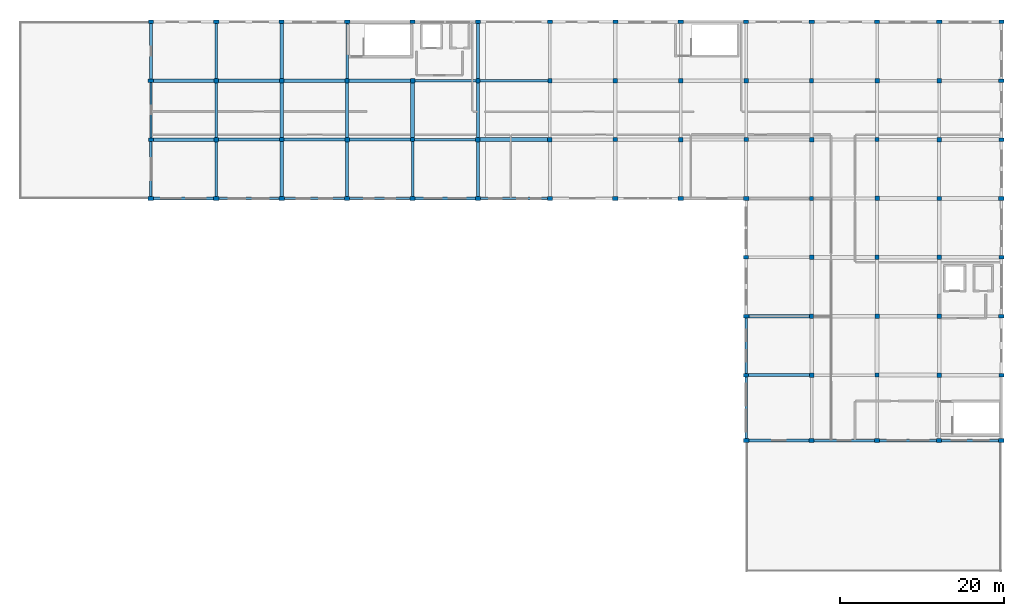
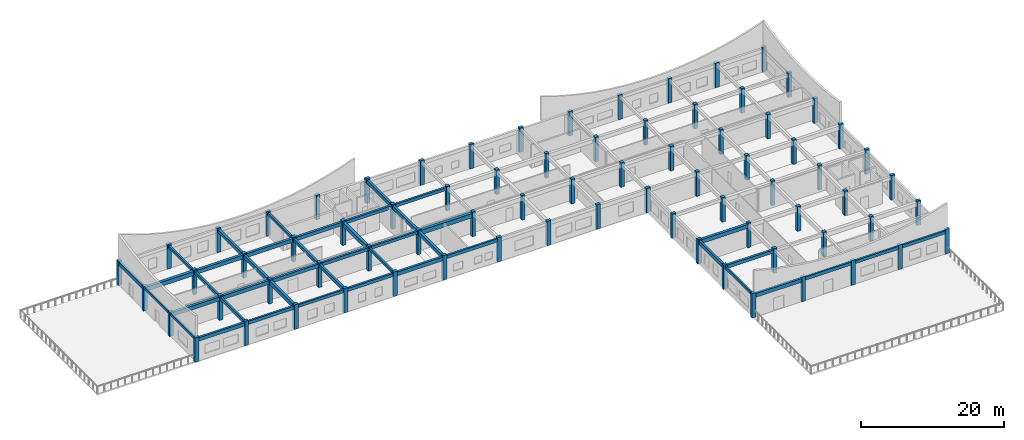
# One storey, part 1 of 10: 76 columns, 43 beams.
"""IFC4 building model written with IfcOpenShell, lengths in metres."""

from ifc_helpers import new_model, si_unit, direction, frame, origin, origin_2d, place, context, subcontext, project, spatial, rectangle, extrude, material, material_profile, profile_set, type_object, element, save


model = new_model("IFC4")

# Units and contexts
model_context = context("Model", 3, precision=1e-05, world=origin(), true_north=direction((0.0, 1.0)))
body_context = subcontext(model_context, "Body", "Model", "MODEL_VIEW")
ifc_project = project(units=[si_unit("LENGTHUNIT", "METRE"), si_unit("AREAUNIT", "SQUARE_METRE"), si_unit("VOLUMEUNIT", "CUBIC_METRE"), si_unit("PLANEANGLEUNIT", "RADIAN"), si_unit("MASSUNIT", "GRAM", prefix="KILO")], contexts=[model_context])

# Site, building, storey
site_placement = place(None, origin())
site = spatial("IfcSite", under=ifc_project, at=site_placement, CompositionType="ELEMENT")
building_placement = place(site_placement, origin())
building = spatial("IfcBuilding", under=site, at=building_placement, Name="Kharva Crest Polytechnic", CompositionType="ELEMENT")
storey_placement = place(building_placement, frame((0.0, 0.0, 25.800048828125)))
storey = spatial("IfcBuildingStorey", under=building, at=storey_placement, Name="L06", CompositionType="ELEMENT", Elevation=25.800048828125)

# Columns
ifc_material_1 = material(Name="Concrete C40/50", Category="concrete")
ifc_material_profile_1 = material_profile(ifc_material_1, rectangle(XDim=0.6201171875, YDim=0.449951171875, at=origin_2d()), Name="RECT 620 X 450")
ifc_profile_set_1 = profile_set([ifc_material_profile_1], Name="Concrete C40/50")
column_type_1 = type_object("IfcColumnType", Name="COL-EXT-620X450", PredefinedType="COLUMN", material=ifc_profile_set_1)
for number, where, z_axis, x_axis, name in (
    (1, (80.0, 107.60009765625, 0.0), (0.0, 0.0, 1.0), (1.0, 0.0, 0.0), "L06 Column 11/Q"),
    (2, (80.0, 122.0, 0.0), (0.0, 0.0, 1.0), (1.0, 0.0, 0.0), "L06 Column 11/S"),
    (3, (88.0, 100.39990234375, 0.0), (0.0, 0.0, 1.0), (1.0, 0.0, 0.0), "L06 Column 12/P"),
    (4, (96.0, 122.0, 0.0), (0.0, 0.0, 1.0), (1.0, 0.0, 0.0), "L06 Column 13/S"),
    (5, (104.0, 100.39990234375, 0.0), (0.0, 0.0, 1.0), (1.0, 0.0, 0.0), "L06 Column 14/P"),
    (6, (112.0, 122.0, 0.0), (0.0, 0.0, 1.0), (1.0, 0.0, 0.0), "L06 Column 15/S"),
    (7, (120.0, 100.39990234375, 0.0), (0.0, 0.0, 1.0), (1.0, 0.0, 0.0), "L06 Column 16/P"),
    (8, (128.800048828125, 100.39990234375, 0.0), (0.0, 0.0, 1.0), (1.0, 0.0, 0.0), "L06 Column 17/P"),
    (9, (136.800048828125, 122.0, 0.0), (0.0, 0.0, 1.0), (1.0, 0.0, 0.0), "L06 Column 18/S"),
    (10, (144.800048828125, 100.39990234375, 0.0), (0.0, 0.0, 1.0), (1.0, 0.0, 0.0), "L06 Column 19/P"),
    (11, (152.800048828125, 78.800048828125, 0.0), (0.0, 0.0, 1.0), (1.0, 0.0, 0.0), "L06 Column 20/L"),
    (12, (152.800048828125, 93.199951171875, 0.0), (0.0, 0.0, 1.0), (1.0, 0.0, 0.0), "L06 Column 20/N"),
    (13, (152.800048828125, 122.0, 0.0), (0.0, 0.0, 1.0), (1.0, 0.0, 0.0), "L06 Column 20/S"),
    (14, (160.800048828125, 70.800048828125, 0.0), (0.0, 0.0, 1.0), (1.0, 0.0, 0.0), "L06 Column 21/K"),
    (15, (168.800048828125, 122.0, 0.0), (0.0, 0.0, 1.0), (1.0, 0.0, 0.0), "L06 Column 22/S"),
    (16, (176.39990234375, 70.800048828125, 0.0), (0.0, 0.0, 1.0), (1.0, 0.0, 0.0), "L06 Column 23/K"),
    (17, (184.0, 78.800048828125, 0.0), (0.0, 0.0, 1.0), (1.0, 0.0, 0.0), "L06 Column 24/L"),
    (18, (184.0, 93.199951171875, 0.0), (0.0, 0.0, 1.0), (1.0, 0.0, 0.0), "L06 Column 24/N"),
    (19, (184.0, 107.60009765625, 0.0), (0.0, 0.0, 1.0), (1.0, 0.0, 0.0), "L06 Column 24/Q"),
    (20, (184.0, 122.0, 0.0), (0.0, 0.0, 1.0), (1.0, 0.0, 0.0), "L06 Column 24/S"),
):
    element("IfcColumn", number, at=place(storey_placement, frame(where, z_axis=z_axis, x_axis=x_axis)), inside=storey, type_object=column_type_1, Name=name, PredefinedType="COLUMN", context=body_context, shape_type="SweptSolid", body=[
        extrude(rectangle(XDim=0.6201171875, YDim=0.449951171875, at=origin_2d()), origin(), (0.0, 0.0, 1.0), 4.199951171875),
    ])
ifc_material_profile_2 = material_profile(ifc_material_1, rectangle(XDim=0.64990234375, YDim=0.449951171875, at=origin_2d()), Name="RECT 650 X 450")
ifc_profile_set_2 = profile_set([ifc_material_profile_2], Name="Concrete C40/50")
column_type_2 = type_object("IfcColumnType", Name="COL-EXT-650X450", PredefinedType="COLUMN", material=ifc_profile_set_2)
for number, where, z_axis, x_axis, name in (
    (21, (80.0, 100.39990234375, 0.0), (0.0, 0.0, 1.0), (1.0, 0.0, 0.0), "L06 Column 11/P"),
    (22, (80.0, 114.800048828125, 0.0), (0.0, 0.0, 1.0), (1.0, 0.0, 0.0), "L06 Column 11/R"),
    (23, (88.0, 122.0, 0.0), (0.0, 0.0, 1.0), (1.0, 0.0, 0.0), "L06 Column 12/S"),
    (24, (96.0, 100.39990234375, 0.0), (0.0, 0.0, 1.0), (1.0, 0.0, 0.0), "L06 Column 13/P"),
    (25, (104.0, 122.0, 0.0), (0.0, 0.0, 1.0), (1.0, 0.0, 0.0), "L06 Column 14/S"),
    (26, (112.0, 100.39990234375, 0.0), (0.0, 0.0, 1.0), (1.0, 0.0, 0.0), "L06 Column 15/P"),
    (27, (120.0, 122.0, 0.0), (0.0, 0.0, 1.0), (1.0, 0.0, 0.0), "L06 Column 16/S"),
    (28, (128.800048828125, 122.0, 0.0), (0.0, 0.0, 1.0), (1.0, 0.0, 0.0), "L06 Column 17/S"),
    (29, (136.800048828125, 100.39990234375, 0.0), (0.0, 0.0, 1.0), (1.0, 0.0, 0.0), "L06 Column 18/P"),
    (30, (144.800048828125, 122.0, 0.0), (0.0, 0.0, 1.0), (1.0, 0.0, 0.0), "L06 Column 19/S"),
    (31, (152.800048828125, 70.800048828125, 0.0), (0.0, 0.0, 1.0), (1.0, 0.0, 0.0), "L06 Column 20/K"),
    (32, (152.800048828125, 86.0, 0.0), (0.0, 0.0, 1.0), (1.0, 0.0, 0.0), "L06 Column 20/M"),
    (33, (152.800048828125, 100.39990234375, 0.0), (0.0, 0.0, 1.0), (1.0, 0.0, 0.0), "L06 Column 20/P"),
    (34, (160.800048828125, 122.0, 0.0), (0.0, 0.0, 1.0), (1.0, 0.0, 0.0), "L06 Column 21/S"),
    (35, (168.800048828125, 70.800048828125, 0.0), (0.0, 0.0, 1.0), (1.0, 0.0, 0.0), "L06 Column 22/K"),
    (36, (176.39990234375, 122.0, 0.0), (0.0, 0.0, 1.0), (1.0, 0.0, 0.0), "L06 Column 23/S"),
    (37, (184.0, 70.800048828125, 0.0), (0.0, 0.0, 1.0), (1.0, 0.0, 0.0), "L06 Column 24/K"),
    (38, (184.0, 86.0, 0.0), (0.0, 0.0, 1.0), (1.0, 0.0, 0.0), "L06 Column 24/M"),
    (39, (184.0, 100.39990234375, 0.0), (0.0, 0.0, 1.0), (1.0, 0.0, 0.0), "L06 Column 24/P"),
    (40, (184.0, 114.800048828125, 0.0), (0.0, 0.0, 1.0), (1.0, 0.0, 0.0), "L06 Column 24/R"),
):
    element("IfcColumn", number, at=place(storey_placement, frame(where, z_axis=z_axis, x_axis=x_axis)), inside=storey, type_object=column_type_2, Name=name, PredefinedType="COLUMN", context=body_context, shape_type="SweptSolid", body=[
        extrude(rectangle(XDim=0.64990234375, YDim=0.449951171875, at=origin_2d()), origin(), (0.0, 0.0, 1.0), 4.199951171875),
    ])
ifc_material_profile_3 = material_profile(ifc_material_1, rectangle(XDim=0.52001953125, YDim=0.52001953125, at=origin_2d()), Name="RECT 520 X 520")
ifc_profile_set_3 = profile_set([ifc_material_profile_3], Name="Concrete C40/50")
column_type_3 = type_object("IfcColumnType", Name="COL-INT-520X520", PredefinedType="COLUMN", material=ifc_profile_set_3)
for number, where, z_axis, x_axis, name in (
    (41, (88.0, 114.800048828125, 0.0), (0.0, 0.0, 1.0), (1.0, 0.0, 0.0), "L06 Column 12/R"),
    (42, (96.0, 107.60009765625, 0.0), (0.0, 0.0, 1.0), (1.0, 0.0, 0.0), "L06 Column 13/Q"),
    (43, (104.0, 114.800048828125, 0.0), (0.0, 0.0, 1.0), (1.0, 0.0, 0.0), "L06 Column 14/R"),
    (44, (112.0, 107.60009765625, 0.0), (0.0, 0.0, 1.0), (1.0, 0.0, 0.0), "L06 Column 15/Q"),
    (45, (120.0, 114.800048828125, 0.0), (0.0, 0.0, 1.0), (1.0, 0.0, 0.0), "L06 Column 16/R"),
    (46, (128.800048828125, 114.800048828125, 0.0), (0.0, 0.0, 1.0), (1.0, 0.0, 0.0), "L06 Column 17/R"),
    (47, (136.800048828125, 107.60009765625, 0.0), (0.0, 0.0, 1.0), (1.0, 0.0, 0.0), "L06 Column 18/Q"),
    (48, (144.800048828125, 114.800048828125, 0.0), (0.0, 0.0, 1.0), (1.0, 0.0, 0.0), "L06 Column 19/R"),
    (49, (152.800048828125, 107.60009765625, 0.0), (0.0, 0.0, 1.0), (1.0, 0.0, 0.0), "L06 Column 20/Q"),
    (50, (160.800048828125, 86.0, 0.0), (0.0, 0.0, 1.0), (1.0, 0.0, 0.0), "L06 Column 21/M"),
    (51, (160.800048828125, 100.39990234375, 0.0), (0.0, 0.0, 1.0), (1.0, 0.0, 0.0), "L06 Column 21/P"),
    (52, (160.800048828125, 114.800048828125, 0.0), (0.0, 0.0, 1.0), (1.0, 0.0, 0.0), "L06 Column 21/R"),
    (53, (168.800048828125, 78.800048828125, 0.0), (0.0, 0.0, 1.0), (1.0, 0.0, 0.0), "L06 Column 22/L"),
    (54, (168.800048828125, 93.199951171875, 0.0), (0.0, 0.0, 1.0), (1.0, 0.0, 0.0), "L06 Column 22/N"),
    (55, (168.800048828125, 107.60009765625, 0.0), (0.0, 0.0, 1.0), (1.0, 0.0, 0.0), "L06 Column 22/Q"),
    (56, (176.39990234375, 86.0, 0.0), (0.0, 0.0, 1.0), (1.0, 0.0, 0.0), "L06 Column 23/M"),
    (57, (176.39990234375, 100.39990234375, 0.0), (0.0, 0.0, 1.0), (1.0, 0.0, 0.0), "L06 Column 23/P"),
    (58, (176.39990234375, 114.800048828125, 0.0), (0.0, 0.0, 1.0), (1.0, 0.0, 0.0), "L06 Column 23/R"),
):
    element("IfcColumn", number, at=place(storey_placement, frame(where, z_axis=z_axis, x_axis=x_axis)), inside=storey, type_object=column_type_3, Name=name, PredefinedType="COLUMN", context=body_context, shape_type="SweptSolid", body=[
        extrude(rectangle(XDim=0.52001953125, YDim=0.52001953125, at=origin_2d()), origin(), (0.0, 0.0, 1.0), 4.199951171875),
    ])
ifc_material_profile_4 = material_profile(ifc_material_1, rectangle(XDim=0.550048828125, YDim=0.550048828125, at=origin_2d()), Name="RECT 550 X 550")
ifc_profile_set_4 = profile_set([ifc_material_profile_4], Name="Concrete C40/50")
column_type_4 = type_object("IfcColumnType", Name="COL-INT-550X550", PredefinedType="COLUMN", material=ifc_profile_set_4)
for number, where, z_axis, x_axis, name in (
    (59, (88.0, 107.60009765625, 0.0), (0.0, 0.0, 1.0), (1.0, 0.0, 0.0), "L06 Column 12/Q"),
    (60, (96.0, 114.800048828125, 0.0), (0.0, 0.0, 1.0), (1.0, 0.0, 0.0), "L06 Column 13/R"),
    (61, (104.0, 107.60009765625, 0.0), (0.0, 0.0, 1.0), (1.0, 0.0, 0.0), "L06 Column 14/Q"),
    (62, (112.0, 114.800048828125, 0.0), (0.0, 0.0, 1.0), (1.0, 0.0, 0.0), "L06 Column 15/R"),
    (63, (120.0, 107.60009765625, 0.0), (0.0, 0.0, 1.0), (1.0, 0.0, 0.0), "L06 Column 16/Q"),
    (64, (128.800048828125, 107.60009765625, 0.0), (0.0, 0.0, 1.0), (1.0, 0.0, 0.0), "L06 Column 17/Q"),
    (65, (136.800048828125, 114.800048828125, 0.0), (0.0, 0.0, 1.0), (1.0, 0.0, 0.0), "L06 Column 18/R"),
    (66, (144.800048828125, 107.60009765625, 0.0), (0.0, 0.0, 1.0), (1.0, 0.0, 0.0), "L06 Column 19/Q"),
    (67, (152.800048828125, 114.800048828125, 0.0), (0.0, 0.0, 1.0), (1.0, 0.0, 0.0), "L06 Column 20/R"),
    (68, (160.800048828125, 78.800048828125, 0.0), (0.0, 0.0, 1.0), (1.0, 0.0, 0.0), "L06 Column 21/L"),
    (69, (160.800048828125, 93.199951171875, 0.0), (0.0, 0.0, 1.0), (1.0, 0.0, 0.0), "L06 Column 21/N"),
    (70, (160.800048828125, 107.60009765625, 0.0), (0.0, 0.0, 1.0), (1.0, 0.0, 0.0), "L06 Column 21/Q"),
    (71, (168.800048828125, 86.0, 0.0), (0.0, 0.0, 1.0), (1.0, 0.0, 0.0), "L06 Column 22/M"),
    (72, (168.800048828125, 100.39990234375, 0.0), (0.0, 0.0, 1.0), (1.0, 0.0, 0.0), "L06 Column 22/P"),
    (73, (168.800048828125, 114.800048828125, 0.0), (0.0, 0.0, 1.0), (1.0, 0.0, 0.0), "L06 Column 22/R"),
    (74, (176.39990234375, 78.800048828125, 0.0), (0.0, 0.0, 1.0), (1.0, 0.0, 0.0), "L06 Column 23/L"),
    (75, (176.39990234375, 93.199951171875, 0.0), (0.0, 0.0, 1.0), (1.0, 0.0, 0.0), "L06 Column 23/N"),
    (76, (176.39990234375, 107.60009765625, 0.0), (0.0, 0.0, 1.0), (1.0, 0.0, 0.0), "L06 Column 23/Q"),
):
    element("IfcColumn", number, at=place(storey_placement, frame(where, z_axis=z_axis, x_axis=x_axis)), inside=storey, type_object=column_type_4, Name=name, PredefinedType="COLUMN", context=body_context, shape_type="SweptSolid", body=[
        extrude(rectangle(XDim=0.550048828125, YDim=0.550048828125, at=origin_2d()), origin(), (0.0, 0.0, 1.0), 4.199951171875),
    ])

# Beams
ifc_material_2 = material(Name="Concrete C35/45", Category="concrete")
ifc_material_profile_5 = material_profile(ifc_material_2, rectangle(XDim=0.300048828125, YDim=0.449951171875, at=origin_2d()), Name="RECT 300 X 450")
ifc_profile_set_5 = profile_set([ifc_material_profile_5], Name="Concrete C35/45")
beam_type_1 = type_object("IfcBeamType", Name="BM-RC-300X450", PredefinedType="BEAM", material=ifc_profile_set_5)
beam_1_placement = place(storey_placement, frame((88.0, 115.06005859375, 3.75), z_axis=(0.0, 1.0, 0.0), x_axis=(-1.0, 0.0, 0.0)))
element("IfcBeam", 77, at=beam_1_placement, inside=storey, type_object=beam_type_1, Name="L06 Girder 12/R-S", PredefinedType="BEAM", context=body_context, shape_type="SweptSolid", body=[
    extrude(rectangle(XDim=0.300048828125, YDim=0.449951171875, at=origin_2d()), origin(), (0.0, 0.0, 1.0), 6.71484375),
])
beam_2_placement = place(storey_placement, frame((112.0, 100.625, 3.75), z_axis=(0.0, 1.0, 0.0), x_axis=(-1.0, 0.0, 0.0)))
element("IfcBeam", 78, at=beam_2_placement, inside=storey, type_object=beam_type_1, Name="L06 Girder 15/P-Q", PredefinedType="BEAM", context=body_context, shape_type="SweptSolid", body=[
    extrude(rectangle(XDim=0.300048828125, YDim=0.449951171875, at=origin_2d()), origin(), (0.0, 0.0, 1.0), 6.715087890625),
])
ifc_material_profile_6 = material_profile(ifc_material_2, rectangle(XDim=0.300048828125, YDim=0.47998046875, at=origin_2d()), Name="RECT 300 X 480")
ifc_profile_set_6 = profile_set([ifc_material_profile_6], Name="Concrete C35/45")
beam_type_2 = type_object("IfcBeamType", Name="BM-RC-300X480", PredefinedType="BEAM", material=ifc_profile_set_6)
beam_3_placement = place(storey_placement, frame((88.0, 107.875, 3.73486328125), z_axis=(0.0, 1.0, 0.0), x_axis=(-1.0, 0.0, 0.0)))
element("IfcBeam", 79, at=beam_3_placement, inside=storey, type_object=beam_type_2, Name="L06 Girder 12/Q-R", PredefinedType="BEAM", context=body_context, shape_type="SweptSolid", body=[
    extrude(rectangle(XDim=0.300048828125, YDim=0.47998046875, at=origin_2d()), origin(), (0.0, 0.0, 1.0), 6.6650390625),
])
beam_4_placement = place(storey_placement, frame((104.0, 115.06005859375, 3.73486328125), z_axis=(0.0, 1.0, 0.0), x_axis=(-1.0, 0.0, 0.0)))
element("IfcBeam", 80, at=beam_4_placement, inside=storey, type_object=beam_type_2, Name="L06 Girder 14/R-S", PredefinedType="BEAM", context=body_context, shape_type="SweptSolid", body=[
    extrude(rectangle(XDim=0.300048828125, YDim=0.47998046875, at=origin_2d()), origin(), (0.0, 0.0, 1.0), 6.71484375),
])
ifc_material_profile_7 = material_profile(ifc_material_2, rectangle(XDim=0.320068359375, YDim=0.5, at=origin_2d()), Name="RECT 320 X 500")
ifc_profile_set_7 = profile_set([ifc_material_profile_7], Name="Concrete C35/45")
beam_type_3 = type_object("IfcBeamType", Name="BM-RC-320X500", PredefinedType="BEAM", material=ifc_profile_set_7)
beam_5_placement = place(storey_placement, frame((112.260009765625, 107.60009765625, 3.724853515625), z_axis=(1.0, 0.0, 0.0), x_axis=(0.0, 1.0, 0.0)))
element("IfcBeam", 81, at=beam_5_placement, inside=storey, type_object=beam_type_3, Name="L06 Beam Q/15-16", PredefinedType="BEAM", context=body_context, shape_type="SweptSolid", body=[
    extrude(rectangle(XDim=0.320068359375, YDim=0.5, at=origin_2d()), origin(), (0.0, 0.0, 1.0), 7.465087890625),
])
beam_6_placement = place(storey_placement, frame((120.260009765625, 114.800048828125, 3.724853515625), z_axis=(1.0, 0.0, 0.0), x_axis=(0.0, 1.0, 0.0)))
element("IfcBeam", 82, at=beam_6_placement, inside=storey, type_object=beam_type_3, Name="L06 Beam R/16-17", PredefinedType="BEAM", context=body_context, shape_type="SweptSolid", body=[
    extrude(rectangle(XDim=0.320068359375, YDim=0.5, at=origin_2d()), origin(), (0.0, 0.0, 1.0), 8.280029296875),
])
ifc_material_profile_8 = material_profile(ifc_material_2, rectangle(XDim=0.340087890625, YDim=0.52001953125, at=origin_2d()), Name="RECT 340 X 520")
ifc_profile_set_8 = profile_set([ifc_material_profile_8], Name="Concrete C35/45")
beam_type_4 = type_object("IfcBeamType", Name="BM-RC-340X520", PredefinedType="BEAM", material=ifc_profile_set_8)
beam_7_placement = place(storey_placement, frame((88.0, 100.625, 3.71484375), z_axis=(0.0, 1.0, 0.0), x_axis=(-1.0, 0.0, 0.0)))
element("IfcBeam", 83, at=beam_7_placement, inside=storey, type_object=beam_type_4, Name="L06 Girder 12/P-Q", PredefinedType="BEAM", context=body_context, shape_type="SweptSolid", body=[
    extrude(rectangle(XDim=0.340087890625, YDim=0.52001953125, at=origin_2d()), origin(), (0.0, 0.0, 1.0), 6.699951171875),
])
beam_8_placement = place(storey_placement, frame((104.0, 107.875, 3.71484375), z_axis=(0.0, 1.0, 0.0), x_axis=(-1.0, 0.0, 0.0)))
element("IfcBeam", 84, at=beam_8_placement, inside=storey, type_object=beam_type_4, Name="L06 Girder 14/Q-R", PredefinedType="BEAM", context=body_context, shape_type="SweptSolid", body=[
    extrude(rectangle(XDim=0.340087890625, YDim=0.52001953125, at=origin_2d()), origin(), (0.0, 0.0, 1.0), 6.6650390625),
])
ifc_material_profile_9 = material_profile(ifc_material_2, rectangle(XDim=0.35009765625, YDim=0.550048828125, at=origin_2d()), Name="RECT 350 X 550")
ifc_profile_set_9 = profile_set([ifc_material_profile_9], Name="Concrete C35/45")
beam_type_5 = type_object("IfcBeamType", Name="BM-RC-350X550", PredefinedType="BEAM", material=ifc_profile_set_9)
beam_9_placement = place(storey_placement, frame((153.110107421875, 78.800048828125, 3.699951171875), z_axis=(1.0, 0.0, 0.0), x_axis=(0.0, 1.0, 0.0)))
element("IfcBeam", 85, at=beam_9_placement, inside=storey, type_object=beam_type_5, Name="L06 Beam L/20-21", PredefinedType="BEAM", context=body_context, shape_type="SweptSolid", body=[
    extrude(rectangle(XDim=0.35009765625, YDim=0.550048828125, at=origin_2d()), origin(), (0.0, 0.0, 1.0), 7.414794921875),
])
for number, where, z_axis, x_axis, name in (
    (86, (104.27490234375, 107.60009765625, 3.699951171875), (1.0, 0.0, 0.0), (0.0, 1.0, 0.0), "L06 Beam Q/14-15"),
    (87, (112.27490234375, 114.800048828125, 3.699951171875), (1.0, 0.0, 0.0), (0.0, 1.0, 0.0), "L06 Beam R/15-16"),
):
    element("IfcBeam", number, at=place(storey_placement, frame(where, z_axis=z_axis, x_axis=x_axis)), inside=storey, type_object=beam_type_5, Name=name, PredefinedType="BEAM", context=body_context, shape_type="SweptSolid", body=[
        extrude(rectangle(XDim=0.35009765625, YDim=0.550048828125, at=origin_2d()), origin(), (0.0, 0.0, 1.0), 7.465087890625),
    ])
ifc_material_profile_10 = material_profile(ifc_material_2, rectangle(XDim=0.360107421875, YDim=0.580078125, at=origin_2d()), Name="RECT 360 X 580")
ifc_profile_set_10 = profile_set([ifc_material_profile_10], Name="Concrete C35/45")
beam_type_6 = type_object("IfcBeamType", Name="BM-RC-360X580", PredefinedType="BEAM", material=ifc_profile_set_10)
beam_10_placement = place(storey_placement, frame((104.0, 100.625, 3.68505859375), z_axis=(0.0, 1.0, 0.0), x_axis=(-1.0, 0.0, 0.0)))
element("IfcBeam", 88, at=beam_10_placement, inside=storey, type_object=beam_type_6, Name="L06 Girder 14/P-Q", PredefinedType="BEAM", context=body_context, shape_type="SweptSolid", body=[
    extrude(rectangle(XDim=0.360107421875, YDim=0.580078125, at=origin_2d()), origin(), (0.0, 0.0, 1.0), 6.699951171875),
])
beam_11_placement = place(storey_placement, frame((120.0, 115.06005859375, 3.68505859375), z_axis=(0.0, 1.0, 0.0), x_axis=(-1.0, 0.0, 0.0)))
element("IfcBeam", 89, at=beam_11_placement, inside=storey, type_object=beam_type_6, Name="L06 Girder 16/R-S", PredefinedType="BEAM", context=body_context, shape_type="SweptSolid", body=[
    extrude(rectangle(XDim=0.360107421875, YDim=0.580078125, at=origin_2d()), origin(), (0.0, 0.0, 1.0), 6.71484375),
])
ifc_material_profile_11 = material_profile(ifc_material_2, rectangle(XDim=0.3798828125, YDim=0.60009765625, at=origin_2d()), Name="RECT 380 X 600")
ifc_profile_set_11 = profile_set([ifc_material_profile_11], Name="Concrete C35/45")
beam_type_7 = type_object("IfcBeamType", Name="BM-RC-380X600", PredefinedType="BEAM", material=ifc_profile_set_11)
for number, where, z_axis, x_axis, name in (
    (90, (96.260009765625, 107.60009765625, 3.675048828125), (1.0, 0.0, 0.0), (0.0, 1.0, 0.0), "L06 Beam Q/13-14"),
    (91, (104.260009765625, 114.800048828125, 3.675048828125), (1.0, 0.0, 0.0), (0.0, 1.0, 0.0), "L06 Beam R/14-15"),
):
    element("IfcBeam", number, at=place(storey_placement, frame(where, z_axis=z_axis, x_axis=x_axis)), inside=storey, type_object=beam_type_7, Name=name, PredefinedType="BEAM", context=body_context, shape_type="SweptSolid", body=[
        extrude(rectangle(XDim=0.3798828125, YDim=0.60009765625, at=origin_2d()), origin(), (0.0, 0.0, 1.0), 7.465087890625),
    ])
ifc_material_profile_12 = material_profile(ifc_material_2, rectangle(XDim=0.39990234375, YDim=0.580078125, at=origin_2d()), Name="RECT 400 X 580")
ifc_profile_set_12 = profile_set([ifc_material_profile_12], Name="Concrete C35/45")
beam_type_8 = type_object("IfcBeamType", Name="BM-RC-400X580", PredefinedType="BEAM", material=ifc_profile_set_12)
beam_12_placement = place(storey_placement, frame((96.0, 115.074951171875, 3.68505859375), z_axis=(0.0, 1.0, 0.0), x_axis=(-1.0, 0.0, 0.0)))
element("IfcBeam", 92, at=beam_12_placement, inside=storey, type_object=beam_type_8, Name="L06 Girder 13/R-S", PredefinedType="BEAM", context=body_context, shape_type="SweptSolid", body=[
    extrude(rectangle(XDim=0.39990234375, YDim=0.580078125, at=origin_2d()), origin(), (0.0, 0.0, 1.0), 6.699951171875),
])
beam_13_placement = place(storey_placement, frame((120.0, 107.875, 3.68505859375), z_axis=(0.0, 1.0, 0.0), x_axis=(-1.0, 0.0, 0.0)))
element("IfcBeam", 93, at=beam_13_placement, inside=storey, type_object=beam_type_8, Name="L06 Girder 16/Q-R", PredefinedType="BEAM", context=body_context, shape_type="SweptSolid", body=[
    extrude(rectangle(XDim=0.39990234375, YDim=0.580078125, at=origin_2d()), origin(), (0.0, 0.0, 1.0), 6.6650390625),
])
ifc_material_profile_13 = material_profile(ifc_material_2, rectangle(XDim=0.39990234375, YDim=0.6201171875, at=origin_2d()), Name="RECT 400 X 620")
ifc_profile_set_13 = profile_set([ifc_material_profile_13], Name="Concrete C35/45")
beam_type_9 = type_object("IfcBeamType", Name="BM-RC-400X620", PredefinedType="BEAM", material=ifc_profile_set_13)
beam_14_placement = place(storey_placement, frame((96.0, 107.860107421875, 3.6650390625), z_axis=(0.0, 1.0, 0.0), x_axis=(-1.0, 0.0, 0.0)))
element("IfcBeam", 94, at=beam_14_placement, inside=storey, type_object=beam_type_9, Name="L06 Girder 13/Q-R", PredefinedType="BEAM", context=body_context, shape_type="SweptSolid", body=[
    extrude(rectangle(XDim=0.39990234375, YDim=0.6201171875, at=origin_2d()), origin(), (0.0, 0.0, 1.0), 6.664794921875),
])
beam_15_placement = place(storey_placement, frame((120.0, 100.625, 3.6650390625), z_axis=(0.0, 1.0, 0.0), x_axis=(-1.0, 0.0, 0.0)))
element("IfcBeam", 95, at=beam_15_placement, inside=storey, type_object=beam_type_9, Name="L06 Girder 16/P-Q", PredefinedType="BEAM", context=body_context, shape_type="SweptSolid", body=[
    extrude(rectangle(XDim=0.39990234375, YDim=0.6201171875, at=origin_2d()), origin(), (0.0, 0.0, 1.0), 6.699951171875),
])
ifc_material_profile_14 = material_profile(ifc_material_2, rectangle(XDim=0.39990234375, YDim=0.64990234375, at=origin_2d()), Name="RECT 400 X 650")
ifc_profile_set_14 = profile_set([ifc_material_profile_14], Name="Concrete C35/45")
beam_type_10 = type_object("IfcBeamType", Name="BM-RC-400X650", PredefinedType="BEAM", material=ifc_profile_set_14)
for number, where, z_axis, x_axis, name in (
    (96, (88.27490234375, 107.60009765625, 3.64990234375), (1.0, 0.0, 0.0), (0.0, 1.0, 0.0), "L06 Beam Q/12-13"),
    (97, (96.27490234375, 114.800048828125, 3.64990234375), (1.0, 0.0, 0.0), (0.0, 1.0, 0.0), "L06 Beam R/13-14"),
):
    element("IfcBeam", number, at=place(storey_placement, frame(where, z_axis=z_axis, x_axis=x_axis)), inside=storey, type_object=beam_type_10, Name=name, PredefinedType="BEAM", context=body_context, shape_type="SweptSolid", body=[
        extrude(rectangle(XDim=0.39990234375, YDim=0.64990234375, at=origin_2d()), origin(), (0.0, 0.0, 1.0), 7.465087890625),
    ])
ifc_material_profile_15 = material_profile(ifc_material_2, rectangle(XDim=0.419921875, YDim=0.659912109375, at=origin_2d()), Name="RECT 420 X 660")
ifc_profile_set_15 = profile_set([ifc_material_profile_15], Name="Concrete C35/45")
beam_type_11 = type_object("IfcBeamType", Name="BM-RC-420X660", PredefinedType="BEAM", material=ifc_profile_set_15)
for number, where, z_axis, x_axis, name in (
    (98, (153.125, 86.0, 3.64501953125), (1.0, 0.0, 0.0), (0.0, 1.0, 0.0), "L06 Beam M/20-21"),
    (99, (80.31005859375, 107.60009765625, 3.64501953125), (1.0, 0.0, 0.0), (0.0, 1.0, 0.0), "L06 Beam Q/11-12"),
):
    element("IfcBeam", number, at=place(storey_placement, frame(where, z_axis=z_axis, x_axis=x_axis)), inside=storey, type_object=beam_type_11, Name=name, PredefinedType="BEAM", context=body_context, shape_type="SweptSolid", body=[
        extrude(rectangle(XDim=0.419921875, YDim=0.659912109375, at=origin_2d()), origin(), (0.0, 0.0, 1.0), 7.4150390625),
    ])
beam_16_placement = place(storey_placement, frame((88.260009765625, 114.800048828125, 3.64501953125), z_axis=(1.0, 0.0, 0.0), x_axis=(0.0, 1.0, 0.0)))
element("IfcBeam", 100, at=beam_16_placement, inside=storey, type_object=beam_type_11, Name="L06 Beam R/12-13", PredefinedType="BEAM", context=body_context, shape_type="SweptSolid", body=[
    extrude(rectangle(XDim=0.419921875, YDim=0.659912109375, at=origin_2d()), origin(), (0.0, 0.0, 1.0), 7.465087890625),
])
ifc_material_profile_16 = material_profile(ifc_material_2, rectangle(XDim=0.449951171875, YDim=0.679931640625, at=origin_2d()), Name="RECT 450 X 680")
ifc_profile_set_16 = profile_set([ifc_material_profile_16], Name="Concrete C35/45")
beam_type_12 = type_object("IfcBeamType", Name="BM-RC-450X680", PredefinedType="BEAM", material=ifc_profile_set_16)
beam_17_placement = place(storey_placement, frame((96.0, 100.625, 3.635009765625), z_axis=(0.0, 1.0, 0.0), x_axis=(-1.0, 0.0, 0.0)))
element("IfcBeam", 101, at=beam_17_placement, inside=storey, type_object=beam_type_12, Name="L06 Girder 13/P-Q", PredefinedType="BEAM", context=body_context, shape_type="SweptSolid", body=[
    extrude(rectangle(XDim=0.449951171875, YDim=0.679931640625, at=origin_2d()), origin(), (0.0, 0.0, 1.0), 6.715087890625),
])
beam_18_placement = place(storey_placement, frame((112.0, 107.860107421875, 3.635009765625), z_axis=(0.0, 1.0, 0.0), x_axis=(-1.0, 0.0, 0.0)))
element("IfcBeam", 102, at=beam_18_placement, inside=storey, type_object=beam_type_12, Name="L06 Girder 15/Q-R", PredefinedType="BEAM", context=body_context, shape_type="SweptSolid", body=[
    extrude(rectangle(XDim=0.449951171875, YDim=0.679931640625, at=origin_2d()), origin(), (0.0, 0.0, 1.0), 6.664794921875),
])
ifc_material_profile_17 = material_profile(ifc_material_2, rectangle(XDim=0.449951171875, YDim=0.719970703125, at=origin_2d()), Name="RECT 450 X 720")
ifc_profile_set_17 = profile_set([ifc_material_profile_17], Name="Concrete C35/45")
beam_type_13 = type_object("IfcBeamType", Name="BM-RC-450X720", PredefinedType="BEAM", material=ifc_profile_set_17)
beam_19_placement = place(storey_placement, frame((80.324951171875, 114.800048828125, 3.614990234375), z_axis=(1.0, 0.0, 0.0), x_axis=(0.0, 1.0, 0.0)))
element("IfcBeam", 103, at=beam_19_placement, inside=storey, type_object=beam_type_13, Name="L06 Beam R/11-12", PredefinedType="BEAM", context=body_context, shape_type="SweptSolid", body=[
    extrude(rectangle(XDim=0.449951171875, YDim=0.719970703125, at=origin_2d()), origin(), (0.0, 0.0, 1.0), 7.4150390625),
])
ifc_material_profile_18 = material_profile(ifc_material_2, rectangle(XDim=0.47998046875, YDim=0.75, at=origin_2d()), Name="RECT 480 X 750")
ifc_profile_set_18 = profile_set([ifc_material_profile_18], Name="Concrete C35/45")
beam_type_14 = type_object("IfcBeamType", Name="BM-RC-480X750", PredefinedType="BEAM", material=ifc_profile_set_18)
beam_20_placement = place(storey_placement, frame((120.27490234375, 107.60009765625, 3.599853515625), z_axis=(1.0, 0.0, 0.0), x_axis=(0.0, 1.0, 0.0)))
element("IfcBeam", 104, at=beam_20_placement, inside=storey, type_object=beam_type_14, Name="L06 Beam Q/16-17", PredefinedType="BEAM", context=body_context, shape_type="SweptSolid", body=[
    extrude(rectangle(XDim=0.47998046875, YDim=0.75, at=origin_2d()), origin(), (0.0, 0.0, 1.0), 8.25),
])
ifc_material_profile_19 = material_profile(ifc_material_2, rectangle(XDim=0.260009765625, YDim=0.43994140625, at=origin_2d()), Name="RECT 260 X 440")
ifc_profile_set_19 = profile_set([ifc_material_profile_19], Name="Concrete C35/45")
beam_type_15 = type_object("IfcBeamType", Name="SP-RC-260X440", PredefinedType="SPANDREL", material=ifc_profile_set_19)
beam_21_placement = place(storey_placement, frame((80.0, 107.824951171875, 3.7548828125), z_axis=(0.0, 1.0, 0.0), x_axis=(-1.0, 0.0, 0.0)))
element("IfcBeam", 105, at=beam_21_placement, inside=storey, type_object=beam_type_15, Name="L06 Girder 11/Q-R", PredefinedType="SPANDREL", context=body_context, shape_type="SweptSolid", body=[
    extrude(rectangle(XDim=0.260009765625, YDim=0.43994140625, at=origin_2d()), origin(), (0.0, 0.0, 1.0), 6.75),
])
beam_22_placement = place(storey_placement, frame((152.800048828125, 71.02490234375, 3.7548828125), z_axis=(0.0, 1.0, 0.0), x_axis=(-1.0, 0.0, 0.0)))
element("IfcBeam", 106, at=beam_22_placement, inside=storey, type_object=beam_type_15, Name="L06 Girder 20/K-L", PredefinedType="SPANDREL", context=body_context, shape_type="SweptSolid", body=[
    extrude(rectangle(XDim=0.260009765625, YDim=0.43994140625, at=origin_2d()), origin(), (0.0, 0.0, 1.0), 7.550048828125),
])
ifc_material_profile_20 = material_profile(ifc_material_2, rectangle(XDim=0.280029296875, YDim=0.4599609375, at=origin_2d()), Name="RECT 280 X 460")
ifc_profile_set_20 = profile_set([ifc_material_profile_20], Name="Concrete C35/45")
beam_type_16 = type_object("IfcBeamType", Name="SP-RC-280X460", PredefinedType="SPANDREL", material=ifc_profile_set_20)
beam_23_placement = place(storey_placement, frame((80.0, 100.625, 3.744873046875), z_axis=(0.0, 1.0, 0.0), x_axis=(-1.0, 0.0, 0.0)))
element("IfcBeam", 107, at=beam_23_placement, inside=storey, type_object=beam_type_16, Name="L06 Girder 11/P-Q", PredefinedType="SPANDREL", context=body_context, shape_type="SweptSolid", body=[
    extrude(rectangle(XDim=0.280029296875, YDim=0.4599609375, at=origin_2d()), origin(), (0.0, 0.0, 1.0), 6.75),
])
ifc_material_profile_21 = material_profile(ifc_material_2, rectangle(XDim=0.280029296875, YDim=0.5, at=origin_2d()), Name="RECT 280 X 500")
ifc_profile_set_21 = profile_set([ifc_material_profile_21], Name="Concrete C35/45")
beam_type_17 = type_object("IfcBeamType", Name="SP-RC-280X500", PredefinedType="SPANDREL", material=ifc_profile_set_21)
beam_24_placement = place(storey_placement, frame((96.324951171875, 100.39990234375, 3.724853515625), z_axis=(1.0, 0.0, 0.0), x_axis=(0.0, 1.0, 0.0)))
element("IfcBeam", 108, at=beam_24_placement, inside=storey, type_object=beam_type_17, Name="L06 Beam P/13-14", PredefinedType="SPANDREL", context=body_context, shape_type="SweptSolid", body=[
    extrude(rectangle(XDim=0.280029296875, YDim=0.5, at=origin_2d()), origin(), (0.0, 0.0, 1.0), 7.364990234375),
])
ifc_material_profile_22 = material_profile(ifc_material_2, rectangle(XDim=0.300048828125, YDim=0.550048828125, at=origin_2d()), Name="RECT 300 X 550")
ifc_profile_set_22 = profile_set([ifc_material_profile_22], Name="Concrete C35/45")
beam_type_18 = type_object("IfcBeamType", Name="SP-RC-300X550", PredefinedType="SPANDREL", material=ifc_profile_set_22)
beam_25_placement = place(storey_placement, frame((161.110107421875, 70.800048828125, 3.699951171875), z_axis=(1.0, 0.0, 0.0), x_axis=(0.0, 1.0, 0.0)))
element("IfcBeam", 109, at=beam_25_placement, inside=storey, type_object=beam_type_18, Name="L06 Beam K/21-22", PredefinedType="SPANDREL", context=body_context, shape_type="SweptSolid", body=[
    extrude(rectangle(XDim=0.300048828125, YDim=0.550048828125, at=origin_2d()), origin(), (0.0, 0.0, 1.0), 7.364990234375),
])
for number, where, z_axis, x_axis, name in (
    (110, (169.125, 70.800048828125, 3.699951171875), (1.0, 0.0, 0.0), (0.0, 1.0, 0.0), "L06 Beam K/22-23"),
    (111, (176.7099609375, 70.800048828125, 3.699951171875), (1.0, 0.0, 0.0), (0.0, 1.0, 0.0), "L06 Beam K/23-24"),
):
    element("IfcBeam", number, at=place(storey_placement, frame(where, z_axis=z_axis, x_axis=x_axis)), inside=storey, type_object=beam_type_18, Name=name, PredefinedType="SPANDREL", context=body_context, shape_type="SweptSolid", body=[
        extrude(rectangle(XDim=0.300048828125, YDim=0.550048828125, at=origin_2d()), origin(), (0.0, 0.0, 1.0), 6.965087890625),
    ])
for number, where, z_axis, x_axis, name in (
    (112, (88.31005859375, 100.39990234375, 3.699951171875), (1.0, 0.0, 0.0), (0.0, 1.0, 0.0), "L06 Beam P/12-13"),
    (113, (104.31005859375, 100.39990234375, 3.699951171875), (1.0, 0.0, 0.0), (0.0, 1.0, 0.0), "L06 Beam P/14-15"),
):
    element("IfcBeam", number, at=place(storey_placement, frame(where, z_axis=z_axis, x_axis=x_axis)), inside=storey, type_object=beam_type_18, Name=name, PredefinedType="SPANDREL", context=body_context, shape_type="SweptSolid", body=[
        extrude(rectangle(XDim=0.300048828125, YDim=0.550048828125, at=origin_2d()), origin(), (0.0, 0.0, 1.0), 7.364990234375),
    ])
beam_26_placement = place(storey_placement, frame((120.31005859375, 100.39990234375, 3.699951171875), z_axis=(1.0, 0.0, 0.0), x_axis=(0.0, 1.0, 0.0)))
element("IfcBeam", 114, at=beam_26_placement, inside=storey, type_object=beam_type_18, Name="L06 Beam P/16-17", PredefinedType="SPANDREL", context=body_context, shape_type="SweptSolid", body=[
    extrude(rectangle(XDim=0.300048828125, YDim=0.550048828125, at=origin_2d()), origin(), (0.0, 0.0, 1.0), 8.179931640625),
])
ifc_material_profile_23 = material_profile(ifc_material_2, rectangle(XDim=0.340087890625, YDim=0.60009765625, at=origin_2d()), Name="RECT 340 X 600")
ifc_profile_set_23 = profile_set([ifc_material_profile_23], Name="Concrete C35/45")
beam_type_19 = type_object("IfcBeamType", Name="SP-RC-340X600", PredefinedType="SPANDREL", material=ifc_profile_set_23)
beam_27_placement = place(storey_placement, frame((80.324951171875, 100.39990234375, 3.675048828125), z_axis=(1.0, 0.0, 0.0), x_axis=(0.0, 1.0, 0.0)))
element("IfcBeam", 115, at=beam_27_placement, inside=storey, type_object=beam_type_19, Name="L06 Beam P/11-12", PredefinedType="SPANDREL", context=body_context, shape_type="SweptSolid", body=[
    extrude(rectangle(XDim=0.340087890625, YDim=0.60009765625, at=origin_2d()), origin(), (0.0, 0.0, 1.0), 7.364990234375),
])
ifc_material_profile_24 = material_profile(ifc_material_2, rectangle(XDim=0.35009765625, YDim=0.6201171875, at=origin_2d()), Name="RECT 350 X 620")
ifc_profile_set_24 = profile_set([ifc_material_profile_24], Name="Concrete C35/45")
beam_type_20 = type_object("IfcBeamType", Name="SP-RC-350X620", PredefinedType="SPANDREL", material=ifc_profile_set_24)
for number, where, z_axis, x_axis, name in (
    (116, (80.0, 115.02490234375, 3.6650390625), (0.0, 1.0, 0.0), (-1.0, 0.0, 0.0), "L06 Girder 11/R-S"),
    (117, (152.800048828125, 79.02490234375, 3.6650390625), (0.0, 1.0, 0.0), (-1.0, 0.0, 0.0), "L06 Girder 20/L-M"),
):
    element("IfcBeam", number, at=place(storey_placement, frame(where, z_axis=z_axis, x_axis=x_axis)), inside=storey, type_object=beam_type_20, Name=name, PredefinedType="SPANDREL", context=body_context, shape_type="SweptSolid", body=[
        extrude(rectangle(XDim=0.35009765625, YDim=0.6201171875, at=origin_2d()), origin(), (0.0, 0.0, 1.0), 6.75),
    ])
ifc_material_profile_25 = material_profile(ifc_material_2, rectangle(XDim=0.360107421875, YDim=0.64990234375, at=origin_2d()), Name="RECT 360 X 650")
ifc_profile_set_25 = profile_set([ifc_material_profile_25], Name="Concrete C35/45")
beam_type_21 = type_object("IfcBeamType", Name="SP-RC-360X650", PredefinedType="SPANDREL", material=ifc_profile_set_25)
for number, where, z_axis, x_axis, name in (
    (118, (153.125, 70.800048828125, 3.64990234375), (1.0, 0.0, 0.0), (0.0, 1.0, 0.0), "L06 Beam K/20-21"),
    (119, (112.324951171875, 100.39990234375, 3.64990234375), (1.0, 0.0, 0.0), (0.0, 1.0, 0.0), "L06 Beam P/15-16"),
):
    element("IfcBeam", number, at=place(storey_placement, frame(where, z_axis=z_axis, x_axis=x_axis)), inside=storey, type_object=beam_type_21, Name=name, PredefinedType="SPANDREL", context=body_context, shape_type="SweptSolid", body=[
        extrude(rectangle(XDim=0.360107421875, YDim=0.64990234375, at=origin_2d()), origin(), (0.0, 0.0, 1.0), 7.364990234375),
    ])

save(model, "model.ifc")
